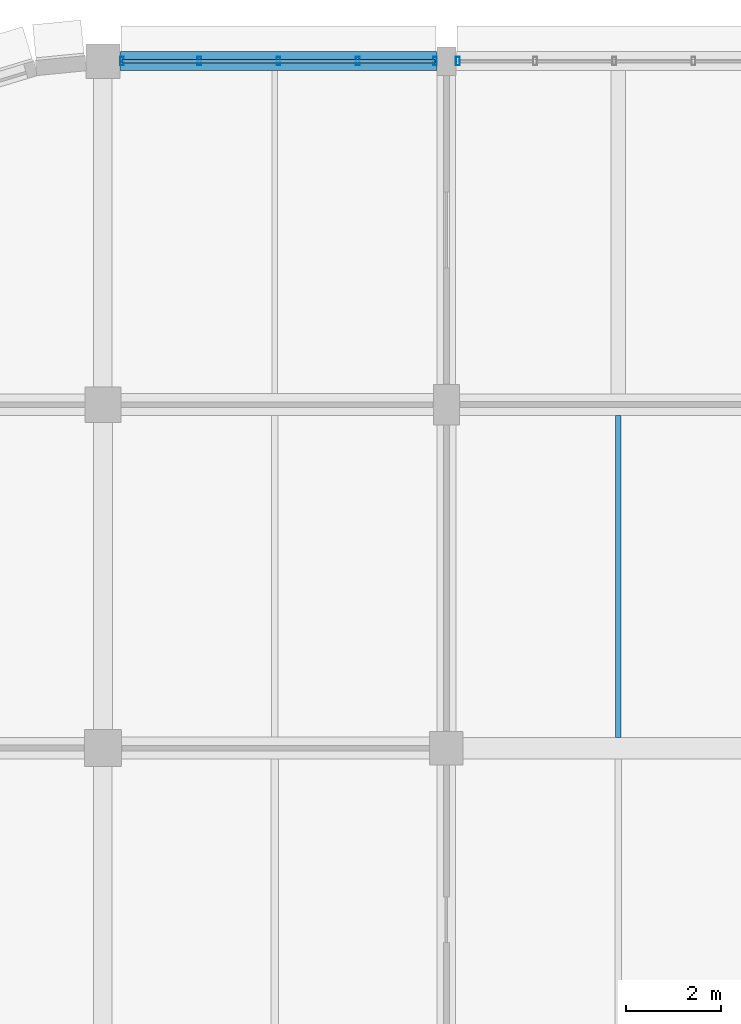
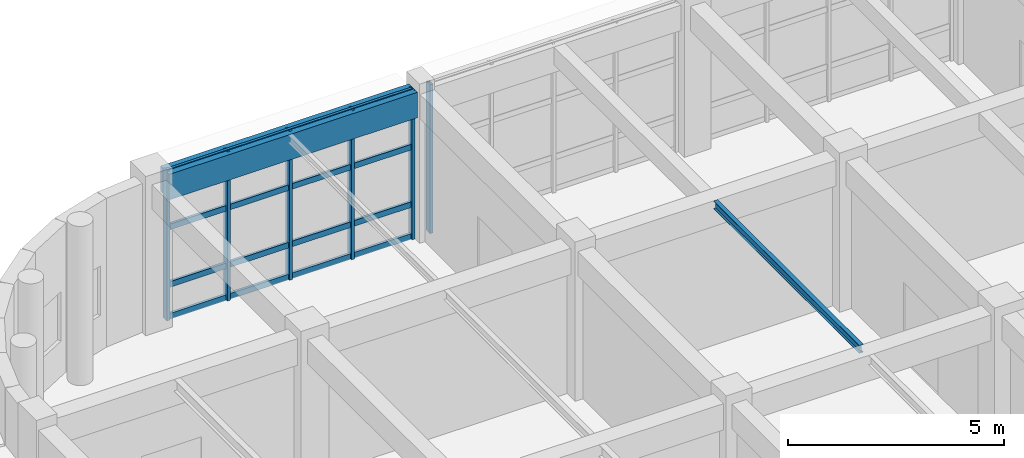
# One storey, part 64 of 171: 10 members, 2 beams, 2 elements without a shape of their own.
"""IFC4 building model written with IfcOpenShell, lengths in metres."""

from ifc_helpers import new_model, si_unit, direction, frame, origin, origin_2d, place, context, subcontext, project, spatial, rectangle, hollow_rectangle, i_section, extrude, material, material_profile, profile_set, type_object, element, aggregate, save


model = new_model("IFC4")

# Units and contexts
model_context = context("Model", 3, precision=1e-05, world=origin(), true_north=direction((0.0, 1.0)))
body_context = subcontext(model_context, "Body", "Model", "MODEL_VIEW")
ifc_project = project(units=[si_unit("LENGTHUNIT", "METRE"), si_unit("AREAUNIT", "SQUARE_METRE"), si_unit("VOLUMEUNIT", "CUBIC_METRE"), si_unit("PLANEANGLEUNIT", "RADIAN"), si_unit("MASSUNIT", "GRAM", prefix="KILO")], contexts=[model_context])

# Site, building, storey
site_placement = place(None, origin())
site = spatial("IfcSite", under=ifc_project, at=site_placement, CompositionType="ELEMENT")
building_placement = place(site_placement, origin())
building = spatial("IfcBuilding", under=site, at=building_placement, Name="Thalmaran Polytechnic", CompositionType="ELEMENT")
storey_placement = place(building_placement, frame((0.0, 0.0, 5.39990234375)))
storey = spatial("IfcBuildingStorey", under=building, at=storey_placement, Name="L01", CompositionType="ELEMENT", Elevation=5.39990234375)

# Beams
ifc_material_1 = material(Name="Steel S355", Category="steel")
ifc_material_profile_1 = material_profile(ifc_material_1, i_section(OverallWidth=0.110107421875, OverallDepth=0.219970703125, WebThickness=0.005859375, FlangeThickness=0.00927734375, at=origin_2d()), Name="IPE 220")
ifc_profile_set_1 = profile_set([ifc_material_profile_1], Name="Steel S355")
beam_type_1 = type_object("IfcBeamType", Name="BM-SJ04", PredefinedType="JOIST", material=ifc_profile_set_1)
beam_1_placement = place(storey_placement, frame((18.0, 108.22509765625, 4.10009765625), z_axis=(0.0, 1.0, 0.0), x_axis=(-1.0, 0.0, 0.0)))
element("IfcBeam", 1, at=beam_1_placement, inside=storey, type_object=beam_type_1, Name="Secondary Floor Rib SJ04 L01 (2,15)", PredefinedType="JOIST", context=body_context, shape_type="SweptSolid", body=[
    extrude(i_section(OverallWidth=0.110107421875, OverallDepth=0.219970703125, WebThickness=0.005859375, FlangeThickness=0.00927734375, at=origin_2d()), origin(), (0.0, 0.0, 1.0), 6.75),
])
ifc_material_2 = material(Name="Concrete C40/50", Category="concrete")
ifc_material_profile_2 = material_profile(ifc_material_2, rectangle(XDim=0.39990234375, YDim=0.719970703125, at=origin_2d()), Name="RC 400x720")
ifc_profile_set_2 = profile_set([ifc_material_profile_2], Name="Concrete C40/50")
beam_type_2 = type_object("IfcBeamType", Name="BM-SP01", PredefinedType="SPANDREL", material=ifc_profile_set_2)
beam_2_placement = place(storey_placement, frame((7.56005859375, 122.39990234375, 3.85009765625), z_axis=(1.0, 0.0, 0.0), x_axis=(0.0, 1.0, 0.0)))
element("IfcBeam", 2, at=beam_2_placement, inside=storey, type_object=beam_type_2, Name="Grid Beam SP01 L01 X(1,17)", PredefinedType="SPANDREL", context=body_context, shape_type="SweptSolid", body=[
    extrude(rectangle(XDim=0.39990234375, YDim=0.719970703125, at=origin_2d()), origin(), (0.0, 0.0, 1.0), 6.639892578125),
])

# Curtain wall, members
ifc_material_3 = material(Name="Aluminium 6063-T6", Category="aluminium")
curtain_wall_type = type_object("IfcCurtainWallType", Name="CW-UC02", PredefinedType="USERDEFINED", material=ifc_material_3)
curtain_wall_1_placement = place(storey_placement, origin())
curtain_wall_1 = element("IfcCurtainWall", 3, at=curtain_wall_1_placement, inside=storey, type_object=curtain_wall_type, Name="Curtain Wall CW-L01-080", ObjectType="UNITISED CURTAIN WALL", PredefinedType="USERDEFINED")
ifc_material_profile_3 = material_profile(ifc_material_3, hollow_rectangle(XDim=0.080078125, YDim=0.179931640625, WallThickness=0.0048828125, at=origin_2d()), Name="RHS 180x80x5.0")
ifc_profile_set_3 = profile_set([ifc_material_profile_3], Name="Aluminium 6063-T6")
member_type_1 = type_object("IfcMemberType", Name="CW-MUL1", PredefinedType="MULLION", material=ifc_profile_set_3)
member_1_placement = place(storey_placement, frame((7.60009765625, 122.39990234375, 0.0), z_axis=(0.0, 0.0, 1.0), x_axis=(1.0, 0.0, 0.0)))
member_1 = element("IfcMember", 4, at=member_1_placement, type_object=member_type_1, Name="CW-L01-080 Mullion 1", PredefinedType="MULLION", context=body_context, shape_type="SweptSolid", body=[
    extrude(hollow_rectangle(XDim=0.080078125, YDim=0.179931640625, WallThickness=0.0048828125, at=origin_2d()), origin(), (0.0, 0.0, 1.0), 4.210205078125),
])
member_2_placement = place(storey_placement, frame((9.219970703125, 122.39990234375, 0.0), z_axis=(0.0, 0.0, 1.0), x_axis=(1.0, 0.0, 0.0)))
member_2 = element("IfcMember", 5, at=member_2_placement, type_object=member_type_1, Name="CW-L01-080 Mullion 2", PredefinedType="MULLION", context=body_context, shape_type="SweptSolid", body=[
    extrude(hollow_rectangle(XDim=0.080078125, YDim=0.179931640625, WallThickness=0.0048828125, at=origin_2d()), origin(), (0.0, 0.0, 1.0), 4.210205078125),
])
member_3_placement = place(storey_placement, frame((10.8798828125, 122.39990234375, 0.0), z_axis=(0.0, 0.0, 1.0), x_axis=(1.0, 0.0, 0.0)))
member_3 = element("IfcMember", 6, at=member_3_placement, type_object=member_type_1, Name="CW-L01-080 Mullion 3", PredefinedType="MULLION", context=body_context, shape_type="SweptSolid", body=[
    extrude(hollow_rectangle(XDim=0.080078125, YDim=0.179931640625, WallThickness=0.0048828125, at=origin_2d()), origin(), (0.0, 0.0, 1.0), 4.210205078125),
])
member_4_placement = place(storey_placement, frame((12.5400390625, 122.39990234375, 0.0), z_axis=(0.0, 0.0, 1.0), x_axis=(1.0, 0.0, 0.0)))
member_4 = element("IfcMember", 7, at=member_4_placement, type_object=member_type_1, Name="CW-L01-080 Mullion 4", PredefinedType="MULLION", context=body_context, shape_type="SweptSolid", body=[
    extrude(hollow_rectangle(XDim=0.080078125, YDim=0.179931640625, WallThickness=0.0048828125, at=origin_2d()), origin(), (0.0, 0.0, 1.0), 4.210205078125),
])
member_5_placement = place(storey_placement, frame((14.159912109375, 122.39990234375, 0.0), z_axis=(0.0, 0.0, 1.0), x_axis=(1.0, 0.0, 0.0)))
member_5 = element("IfcMember", 8, at=member_5_placement, type_object=member_type_1, Name="CW-L01-080 Mullion 5", PredefinedType="MULLION", context=body_context, shape_type="SweptSolid", body=[
    extrude(hollow_rectangle(XDim=0.080078125, YDim=0.179931640625, WallThickness=0.0048828125, at=origin_2d()), origin(), (0.0, 0.0, 1.0), 4.210205078125),
])

# Curtain wall, member
curtain_wall_2_placement = place(storey_placement, origin())
curtain_wall_2 = element("IfcCurtainWall", 9, at=curtain_wall_2_placement, inside=storey, type_object=curtain_wall_type, Name="Curtain Wall CW-L01-081", ObjectType="UNITISED CURTAIN WALL", PredefinedType="USERDEFINED")
member_6_placement = place(storey_placement, frame((14.639892578125, 122.39990234375, 0.0), z_axis=(0.0, 0.0, 1.0), x_axis=(1.0, 0.0, 0.0)))
member_6 = element("IfcMember", 10, at=member_6_placement, type_object=member_type_1, Name="CW-L01-081 Mullion 1", PredefinedType="MULLION", context=body_context, shape_type="SweptSolid", body=[
    extrude(hollow_rectangle(XDim=0.080078125, YDim=0.179931640625, WallThickness=0.0048828125, at=origin_2d()), origin(), (0.0, 0.0, 1.0), 4.210205078125),
])
aggregate(curtain_wall_2, [member_6])

# Member
ifc_material_profile_4 = material_profile(ifc_material_3, hollow_rectangle(XDim=0.070068359375, YDim=0.159912109375, WallThickness=0.00390625, at=origin_2d()), Name="AL 160x70x4.0")
ifc_profile_set_4 = profile_set([ifc_material_profile_4], Name="Aluminium 6063-T6")
member_type_2 = type_object("IfcMemberType", Name="CW-TRN1", PredefinedType="USERDEFINED", material=ifc_profile_set_4)
member_7_placement = place(storey_placement, frame((7.60009765625, 122.39990234375, 0.06005859375), z_axis=(1.0, 0.0, 0.0), x_axis=(0.0, 1.0, 0.0)))
member_7 = element("IfcMember", 11, at=member_7_placement, type_object=member_type_2, Name="CW-L01-080 Transom 1", ObjectType="TRANSOM", PredefinedType="USERDEFINED", context=body_context, shape_type="SweptSolid", body=[
    extrude(hollow_rectangle(XDim=0.070068359375, YDim=0.159912109375, WallThickness=0.00390625, at=origin_2d()), origin(), (0.0, 0.0, 1.0), 6.559814453125),
])

member_8_placement = place(storey_placement, frame((7.60009765625, 122.39990234375, 0.960205078125), z_axis=(1.0, 0.0, 0.0), x_axis=(0.0, 1.0, 0.0)))
member_8 = element("IfcMember", 12, at=member_8_placement, type_object=member_type_2, Name="CW-L01-080 Transom 2", ObjectType="TRANSOM", PredefinedType="USERDEFINED", context=body_context, shape_type="SweptSolid", body=[
    extrude(hollow_rectangle(XDim=0.070068359375, YDim=0.159912109375, WallThickness=0.00390625, at=origin_2d()), origin(), (0.0, 0.0, 1.0), 6.559814453125),
])

member_9_placement = place(storey_placement, frame((7.60009765625, 122.39990234375, 2.585205078125), z_axis=(1.0, 0.0, 0.0), x_axis=(0.0, 1.0, 0.0)))
member_9 = element("IfcMember", 13, at=member_9_placement, type_object=member_type_2, Name="CW-L01-080 Transom 3", ObjectType="TRANSOM", PredefinedType="USERDEFINED", context=body_context, shape_type="SweptSolid", body=[
    extrude(hollow_rectangle(XDim=0.070068359375, YDim=0.159912109375, WallThickness=0.00390625, at=origin_2d()), origin(), (0.0, 0.0, 1.0), 6.559814453125),
])

member_10_placement = place(storey_placement, frame((7.60009765625, 122.39990234375, 4.150146484375), z_axis=(1.0, 0.0, 0.0), x_axis=(0.0, 1.0, 0.0)))
member_10 = element("IfcMember", 14, at=member_10_placement, type_object=member_type_2, Name="CW-L01-080 Transom 4", ObjectType="TRANSOM", PredefinedType="USERDEFINED", context=body_context, shape_type="SweptSolid", body=[
    extrude(hollow_rectangle(XDim=0.070068359375, YDim=0.159912109375, WallThickness=0.00390625, at=origin_2d()), origin(), (0.0, 0.0, 1.0), 6.559814453125),
])

aggregate(curtain_wall_1, [member_1, member_2, member_3, member_4, member_5, member_7, member_8, member_9, member_10])

save(model, "model.ifc")
